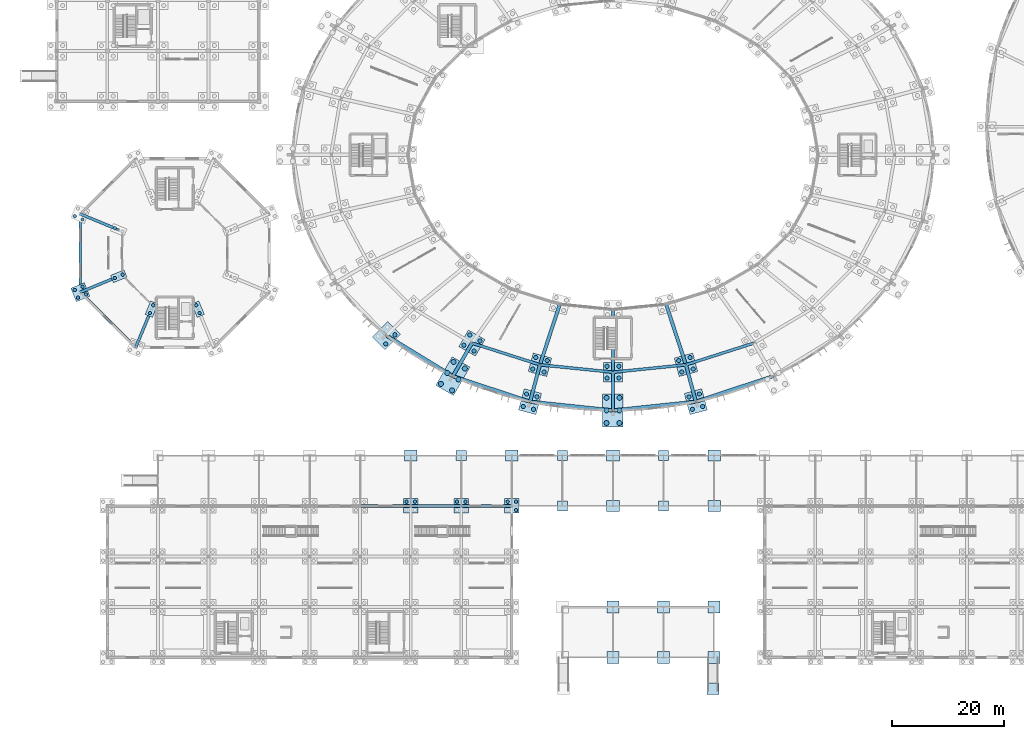
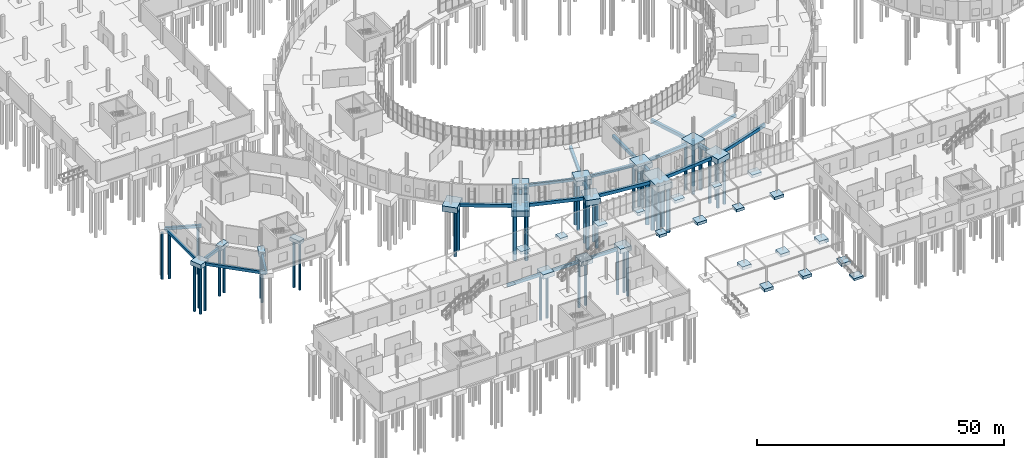
# One storey, part 2 of 118: 58 footings, 58 piles.
"""IFC4 building model written with IfcOpenShell, lengths in metres."""

from ifc_helpers import new_model, si_unit, direction, frame, origin, origin_2d, place, context, subcontext, project, spatial, rectangle, circle, extrude, material, material_profile, profile_set, type_object, element, save


model = new_model("IFC4")

# Units and contexts
model_context = context("Model", 3, precision=1e-05, world=origin(), true_north=direction((0.0, 1.0)))
body_context = subcontext(model_context, "Body", "Model", "MODEL_VIEW")
ifc_project = project(units=[si_unit("LENGTHUNIT", "METRE"), si_unit("AREAUNIT", "SQUARE_METRE"), si_unit("VOLUMEUNIT", "CUBIC_METRE"), si_unit("PLANEANGLEUNIT", "RADIAN"), si_unit("MASSUNIT", "GRAM", prefix="KILO")], contexts=[model_context])

# Site, building, storey
site_placement = place(None, origin())
site = spatial("IfcSite", under=ifc_project, at=site_placement, CompositionType="ELEMENT")
building_placement = place(site_placement, origin())
building = spatial("IfcBuilding", under=site, at=building_placement, Name="Kildeholm Park Wholesale Market", CompositionType="ELEMENT")
storey_placement = place(building_placement, origin())
storey = spatial("IfcBuildingStorey", under=building, at=storey_placement, Name="L00", CompositionType="ELEMENT", Elevation=0.0)

# Piles
ifc_material = material(Name="Concrete C35/45", Category="concrete")
ifc_material_profile_1 = material_profile(ifc_material, circle(Radius=0.300048828125, at=origin_2d()), Name="PILE D600")
ifc_profile_set_1 = profile_set([ifc_material_profile_1], Name="Concrete C35/45")
pile_type_1 = type_object("IfcPileType", Name="Bored pile 600 mm", PredefinedType="BORED", material=ifc_profile_set_1)
pile_placement = place(storey_placement, frame((10.3291015625, 76.419921875, -0.800048828125), z_axis=(0.0, 0.0, -1.0), x_axis=(1.0, 0.0, 0.0)))
element("IfcPile", 1, at=pile_placement, inside=storey, type_object=pile_type_1, Name="Bored pile V3-IN-03.2 PIL-0396", PredefinedType="BORED", context=body_context, shape_type="SweptSolid", body=[
    extrude(circle(Radius=0.300048828125, at=origin_2d()), origin(), (0.0, 0.0, 1.0), 11.699951171875),
])
for number, where, z_axis, x_axis, name in (
    (2, (4.5908203125, 77.985107421875, -1.0), (0.0, 0.0, -1.0), (1.0, 0.0, 0.0), "Bored pile V3-OT-03.3 PIL-0399"),
    (3, (3.205078125, 78.55908203125, -1.0), (0.0, 0.0, -1.0), (1.0, 0.0, 0.0), "Bored pile V3-OT-03.4 PIL-0400"),
):
    element("IfcPile", number, at=place(storey_placement, frame(where, z_axis=z_axis, x_axis=x_axis)), inside=storey, type_object=pile_type_1, Name=name, PredefinedType="BORED", context=body_context, shape_type="SweptSolid", body=[
        extrude(circle(Radius=0.300048828125, at=origin_2d()), origin(), (0.0, 0.0, 1.0), 11.5),
    ])
for number, where, z_axis, x_axis, name in (
    (4, (11.71484375, 68.154052734375, -0.800048828125), (0.0, 0.0, -1.0), (1.0, 0.0, 0.0), "Bored pile V3-IN-04.1 PIL-0401"),
    (5, (10.3291015625, 67.580078125, -0.800048828125), (0.0, 0.0, -1.0), (1.0, 0.0, 0.0), "Bored pile V3-IN-04.2 PIL-0402"),
):
    element("IfcPile", number, at=place(storey_placement, frame(where, z_axis=z_axis, x_axis=x_axis)), inside=storey, type_object=pile_type_1, Name=name, PredefinedType="BORED", context=body_context, shape_type="SweptSolid", body=[
        extrude(circle(Radius=0.300048828125, at=origin_2d()), origin(), (0.0, 0.0, 1.0), 11.699951171875),
    ])
for number, where, z_axis, x_axis, name in (
    (6, (4.5908203125, 66.014892578125, -1.0), (0.0, 0.0, -1.0), (1.0, 0.0, 0.0), "Bored pile V3-OT-04.1 PIL-0403"),
    (7, (3.205078125, 65.44091796875, -1.0), (0.0, 0.0, -1.0), (1.0, 0.0, 0.0), "Bored pile V3-OT-04.2 PIL-0404"),
    (8, (5.164794921875, 64.629150390625, -1.0), (0.0, 0.0, -1.0), (1.0, 0.0, 0.0), "Bored pile V3-OT-04.3 PIL-0405"),
    (9, (3.779052734375, 64.05517578125, -1.0), (0.0, 0.0, -1.0), (1.0, 0.0, 0.0), "Bored pile V3-OT-04.4 PIL-0406"),
):
    element("IfcPile", number, at=place(storey_placement, frame(where, z_axis=z_axis, x_axis=x_axis)), inside=storey, type_object=pile_type_1, Name=name, PredefinedType="BORED", context=body_context, shape_type="SweptSolid", body=[
        extrude(circle(Radius=0.300048828125, at=origin_2d()), origin(), (0.0, 0.0, 1.0), 11.5),
    ])
for number, where, z_axis, x_axis, name in (
    (10, (17.154052734375, 62.71484375, -0.800048828125), (0.0, 0.0, -1.0), (1.0, 0.0, 0.0), "Bored pile V3-IN-05.1 PIL-0407"),
    (11, (16.580078125, 61.3291015625, -0.800048828125), (0.0, 0.0, -1.0), (1.0, 0.0, 0.0), "Bored pile V3-IN-05.2 PIL-0408"),
    (12, (24.845947265625, 62.71484375, -0.800048828125), (0.0, 0.0, -1.0), (1.0, 0.0, 0.0), "Bored pile V3-IN-06.1 PIL-0413"),
    (13, (25.419921875, 61.3291015625, -0.800048828125), (0.0, 0.0, -1.0), (1.0, 0.0, 0.0), "Bored pile V3-IN-06.2 PIL-0414"),
):
    element("IfcPile", number, at=place(storey_placement, frame(where, z_axis=z_axis, x_axis=x_axis)), inside=storey, type_object=pile_type_1, Name=name, PredefinedType="BORED", context=body_context, shape_type="SweptSolid", body=[
        extrude(circle(Radius=0.300048828125, at=origin_2d()), origin(), (0.0, 0.0, 1.0), 11.699951171875),
    ])
for number, where, z_axis, x_axis, name in (
    (14, (62.25, 27.75, -1.0), (0.0, 0.0, -1.0), (1.0, 0.0, 0.0), "Bored pile V5W-063-027.3 PIL-0971"),
    (15, (63.75, 27.75, -1.0), (0.0, 0.0, -1.0), (1.0, 0.0, 0.0), "Bored pile V5W-063-027.4 PIL-0972"),
    (16, (71.25, 27.75, -1.0), (0.0, 0.0, -1.0), (1.0, 0.0, 0.0), "Bored pile V5W-072-027.3 PIL-0987"),
    (17, (72.75, 27.75, -1.0), (0.0, 0.0, -1.0), (1.0, 0.0, 0.0), "Bored pile V5W-072-027.4 PIL-0988"),
    (18, (81.75, 26.25, -1.0), (0.0, 0.0, -1.0), (1.0, 0.0, 0.0), "Bored pile V5W-081-027.2 PIL-1002"),
    (19, (80.25, 27.75, -1.0), (0.0, 0.0, -1.0), (1.0, 0.0, 0.0), "Bored pile V5W-081-027.3 PIL-1003"),
    (20, (81.75, 27.75, -1.0), (0.0, 0.0, -1.0), (1.0, 0.0, 0.0), "Bored pile V5W-081-027.4 PIL-1004"),
):
    element("IfcPile", number, at=place(storey_placement, frame(where, z_axis=z_axis, x_axis=x_axis)), inside=storey, type_object=pile_type_1, Name=name, PredefinedType="BORED", context=body_context, shape_type="SweptSolid", body=[
        extrude(circle(Radius=0.300048828125, at=origin_2d()), origin(), (0.0, 0.0, 1.0), 11.5),
    ])
ifc_material_profile_2 = material_profile(ifc_material, circle(Radius=0.375, at=origin_2d()), Name="PILE D750")
ifc_profile_set_2 = profile_set([ifc_material_profile_2], Name="Concrete C35/45")
pile_type_2 = type_object("IfcPileType", Name="Bored pile 750 mm", PredefinedType="BORED", material=ifc_profile_set_2)
for number, where, z_axis, x_axis, name in (
    (21, (60.179931640625, 57.468505859375, -1.25), (0.0, 0.0, -1.0), (1.0, 0.0, 0.0), "Bored pile V1-OT-15.3 PIL-0207"),
    (22, (58.5537109375, 55.842041015625, -1.25), (0.0, 0.0, -1.0), (1.0, 0.0, 0.0), "Bored pile V1-OT-15.4 PIL-0208"),
):
    element("IfcPile", number, at=place(storey_placement, frame(where, z_axis=z_axis, x_axis=x_axis)), inside=storey, type_object=pile_type_2, Name=name, PredefinedType="BORED", context=body_context, shape_type="SweptSolid", body=[
        extrude(circle(Radius=0.375, at=origin_2d()), origin(), (0.0, 0.0, 1.0), 11.25),
    ])
for number, where, z_axis, x_axis, name in (
    (23, (73.515625, 57.419189453125, -1.199951171875), (0.0, 0.0, -1.0), (1.0, 0.0, 0.0), "Bored pile V1-MD-16.1 PIL-0213"),
    (24, (72.4658203125, 55.6005859375, -1.199951171875), (0.0, 0.0, -1.0), (1.0, 0.0, 0.0), "Bored pile V1-MD-16.2 PIL-0214"),
    (25, (75.334228515625, 56.369384765625, -1.199951171875), (0.0, 0.0, -1.0), (1.0, 0.0, 0.0), "Bored pile V1-MD-16.3 PIL-0215"),
    (26, (74.2841796875, 54.55078125, -1.199951171875), (0.0, 0.0, -1.0), (1.0, 0.0, 0.0), "Bored pile V1-MD-16.4 PIL-0216"),
    (27, (85.264404296875, 53.405029296875, -1.199951171875), (0.0, 0.0, -1.0), (1.0, 0.0, 0.0), "Bored pile V1-MD-17.1 PIL-0227"),
    (28, (84.720947265625, 51.37646484375, -1.199951171875), (0.0, 0.0, -1.0), (1.0, 0.0, 0.0), "Bored pile V1-MD-17.2 PIL-0228"),
    (29, (87.29296875, 52.861572265625, -1.199951171875), (0.0, 0.0, -1.0), (1.0, 0.0, 0.0), "Bored pile V1-MD-17.3 PIL-0229"),
    (30, (86.74951171875, 50.8330078125, -1.199951171875), (0.0, 0.0, -1.0), (1.0, 0.0, 0.0), "Bored pile V1-MD-17.4 PIL-0230"),
):
    element("IfcPile", number, at=place(storey_placement, frame(where, z_axis=z_axis, x_axis=x_axis)), inside=storey, type_object=pile_type_2, Name=name, PredefinedType="BORED", context=body_context, shape_type="SweptSolid", body=[
        extrude(circle(Radius=0.375, at=origin_2d()), origin(), (0.0, 0.0, 1.0), 11.300048828125),
    ])
for number, where, z_axis, x_axis, name in (
    (31, (83.626953125, 46.90673828125, -1.25), (0.0, 0.0, -1.0), (1.0, 0.0, 0.0), "Bored pile V1-OT-17.1 PIL-0231"),
    (32, (83.03173828125, 44.68505859375, -1.25), (0.0, 0.0, -1.0), (1.0, 0.0, 0.0), "Bored pile V1-OT-17.2 PIL-0232"),
    (33, (85.46240234375, 46.414794921875, -1.25), (0.0, 0.0, -1.0), (1.0, 0.0, 0.0), "Bored pile V1-OT-17.3 PIL-0233"),
    (34, (84.866943359375, 44.193359375, -1.25), (0.0, 0.0, -1.0), (1.0, 0.0, 0.0), "Bored pile V1-OT-17.4 PIL-0234"),
):
    element("IfcPile", number, at=place(storey_placement, frame(where, z_axis=z_axis, x_axis=x_axis)), inside=storey, type_object=pile_type_2, Name=name, PredefinedType="BORED", context=body_context, shape_type="SweptSolid", body=[
        extrude(circle(Radius=0.375, at=origin_2d()), origin(), (0.0, 0.0, 1.0), 11.25),
    ])
for number, where, z_axis, x_axis, name in (
    (35, (97.949951171875, 51.85009765625, -1.199951171875), (0.0, 0.0, -1.0), (1.0, 0.0, 0.0), "Bored pile V1-MD-18.1 PIL-0239"),
    (36, (97.949951171875, 49.75, -1.199951171875), (0.0, 0.0, -1.0), (1.0, 0.0, 0.0), "Bored pile V1-MD-18.2 PIL-0240"),
    (37, (100.050048828125, 51.85009765625, -1.199951171875), (0.0, 0.0, -1.0), (1.0, 0.0, 0.0), "Bored pile V1-MD-18.3 PIL-0241"),
    (38, (100.050048828125, 49.75, -1.199951171875), (0.0, 0.0, -1.0), (1.0, 0.0, 0.0), "Bored pile V1-MD-18.4 PIL-0242"),
    (39, (110.70703125, 52.861572265625, -1.199951171875), (0.0, 0.0, -1.0), (1.0, 0.0, 0.0), "Bored pile V1-MD-19.1 PIL-0253"),
    (40, (111.25048828125, 50.8330078125, -1.199951171875), (0.0, 0.0, -1.0), (1.0, 0.0, 0.0), "Bored pile V1-MD-19.2 PIL-0254"),
    (41, (112.735595703125, 53.405029296875, -1.199951171875), (0.0, 0.0, -1.0), (1.0, 0.0, 0.0), "Bored pile V1-MD-19.3 PIL-0255"),
    (42, (113.279052734375, 51.37646484375, -1.199951171875), (0.0, 0.0, -1.0), (1.0, 0.0, 0.0), "Bored pile V1-MD-19.4 PIL-0256"),
):
    element("IfcPile", number, at=place(storey_placement, frame(where, z_axis=z_axis, x_axis=x_axis)), inside=storey, type_object=pile_type_2, Name=name, PredefinedType="BORED", context=body_context, shape_type="SweptSolid", body=[
        extrude(circle(Radius=0.375, at=origin_2d()), origin(), (0.0, 0.0, 1.0), 11.300048828125),
    ])
for number, where, z_axis, x_axis, name in (
    (43, (112.53759765625, 46.414794921875, -1.25), (0.0, 0.0, -1.0), (1.0, 0.0, 0.0), "Bored pile V1-OT-19.1 PIL-0257"),
    (44, (113.133056640625, 44.193359375, -1.25), (0.0, 0.0, -1.0), (1.0, 0.0, 0.0), "Bored pile V1-OT-19.2 PIL-0258"),
    (45, (114.373046875, 46.90673828125, -1.25), (0.0, 0.0, -1.0), (1.0, 0.0, 0.0), "Bored pile V1-OT-19.3 PIL-0259"),
    (46, (114.96826171875, 44.68505859375, -1.25), (0.0, 0.0, -1.0), (1.0, 0.0, 0.0), "Bored pile V1-OT-19.4 PIL-0260"),
):
    element("IfcPile", number, at=place(storey_placement, frame(where, z_axis=z_axis, x_axis=x_axis)), inside=storey, type_object=pile_type_2, Name=name, PredefinedType="BORED", context=body_context, shape_type="SweptSolid", body=[
        extrude(circle(Radius=0.375, at=origin_2d()), origin(), (0.0, 0.0, 1.0), 11.25),
    ])
ifc_material_profile_3 = material_profile(ifc_material, circle(Radius=0.449951171875, at=origin_2d()), Name="PILE D900")
ifc_profile_set_3 = profile_set([ifc_material_profile_3], Name="Concrete C35/45")
pile_type_3 = type_object("IfcPileType", Name="Bored pile 900 mm", PredefinedType="BORED", material=ifc_profile_set_3)
for number, where, z_axis, x_axis, name in (
    (47, (70.629150390625, 52.61962890625, -1.35009765625), (0.0, 0.0, -1.0), (1.0, 0.0, 0.0), "Bored pile V1-OT-16.1 PIL-0217"),
    (48, (69.504150390625, 50.6708984375, -1.35009765625), (0.0, 0.0, -1.0), (1.0, 0.0, 0.0), "Bored pile V1-OT-16.2 PIL-0218"),
    (49, (68.379150390625, 48.722412109375, -1.35009765625), (0.0, 0.0, -1.0), (1.0, 0.0, 0.0), "Bored pile V1-OT-16.3 PIL-0219"),
    (50, (72.620849609375, 51.469482421875, -1.35009765625), (0.0, 0.0, -1.0), (1.0, 0.0, 0.0), "Bored pile V1-OT-16.4 PIL-0220"),
    (51, (71.495849609375, 49.52099609375, -1.35009765625), (0.0, 0.0, -1.0), (1.0, 0.0, 0.0), "Bored pile V1-OT-16.5 PIL-0221"),
    (52, (70.370849609375, 47.572509765625, -1.35009765625), (0.0, 0.0, -1.0), (1.0, 0.0, 0.0), "Bored pile V1-OT-16.6 PIL-0222"),
    (53, (97.85009765625, 46.25, -1.35009765625), (0.0, 0.0, -1.0), (1.0, 0.0, 0.0), "Bored pile V1-OT-18.1 PIL-0243"),
    (54, (97.85009765625, 44.0, -1.35009765625), (0.0, 0.0, -1.0), (1.0, 0.0, 0.0), "Bored pile V1-OT-18.2 PIL-0244"),
    (55, (97.85009765625, 41.75, -1.35009765625), (0.0, 0.0, -1.0), (1.0, 0.0, 0.0), "Bored pile V1-OT-18.3 PIL-0245"),
    (56, (100.14990234375, 46.25, -1.35009765625), (0.0, 0.0, -1.0), (1.0, 0.0, 0.0), "Bored pile V1-OT-18.4 PIL-0246"),
    (57, (100.14990234375, 44.0, -1.35009765625), (0.0, 0.0, -1.0), (1.0, 0.0, 0.0), "Bored pile V1-OT-18.5 PIL-0247"),
    (58, (100.14990234375, 41.75, -1.35009765625), (0.0, 0.0, -1.0), (1.0, 0.0, 0.0), "Bored pile V1-OT-18.6 PIL-0248"),
):
    element("IfcPile", number, at=place(storey_placement, frame(where, z_axis=z_axis, x_axis=x_axis)), inside=storey, type_object=pile_type_3, Name=name, PredefinedType="BORED", context=body_context, shape_type="SweptSolid", body=[
        extrude(circle(Radius=0.449951171875, at=origin_2d()), origin(), (0.0, 0.0, 1.0), 11.14990234375),
    ])

# Footings
ifc_material_profile_4 = material_profile(ifc_material, rectangle(XDim=0.5, YDim=0.699951171875, at=origin_2d()), Name="FB 500x700")
ifc_profile_set_4 = profile_set([ifc_material_profile_4], Name="Concrete C35/45")
footing_type_1 = type_object("IfcFootingType", Name="Ground tie beam GB-1 FB 500x700", PredefinedType="FOOTING_BEAM", material=ifc_profile_set_4)
footing_1_placement = place(storey_placement, frame((73.89990234375, 55.985107421875, -0.64990234375), z_axis=(0.952608649326, -0.304198555599, 0.0), x_axis=(0.304198555599, 0.952608649326, 0.0)))
element("IfcFooting", 59, at=footing_1_placement, inside=storey, type_object=footing_type_1, Name="Ground tie beam GB-V1-CMD-16 FTG-0156", PredefinedType="FOOTING_BEAM", context=body_context, shape_type="SweptSolid", body=[
    extrude(rectangle(XDim=0.5, YDim=0.699951171875, at=origin_2d()), origin(), (0.0, 0.0, 1.0), 12.70947265625),
])
for number, where, z_axis, x_axis, name in (
    (60, (86.007080078125, 52.118896484375, -0.64990234375), (0.994887827563, -0.100986189979, 0.0), (0.100986189979, 0.994887827563, 0.0), "Ground tie beam GB-V1-CMD-17 FTG-0161"),
    (61, (99.0, 50.800048828125, -0.64990234375), (0.994887827563, 0.100986189979, 0.0), (-0.100986189979, 0.994887827563, 0.0), "Ground tie beam GB-V1-CMD-18 FTG-0166"),
):
    element("IfcFooting", number, at=place(storey_placement, frame(where, z_axis=z_axis, x_axis=x_axis)), inside=storey, type_object=footing_type_1, Name=name, PredefinedType="FOOTING_BEAM", context=body_context, shape_type="SweptSolid", body=[
        extrude(rectangle(XDim=0.5, YDim=0.699951171875, at=origin_2d()), origin(), (0.0, 0.0, 1.0), 13.0595703125),
    ])
footing_2_placement = place(storey_placement, frame((111.992919921875, 52.118896484375, -0.64990234375), z_axis=(0.952608649326, 0.304198555599, 0.0), x_axis=(-0.304198555599, 0.952608649326, 0.0)))
element("IfcFooting", 62, at=footing_2_placement, inside=storey, type_object=footing_type_1, Name="Ground tie beam GB-V1-CMD-19 FTG-0171", PredefinedType="FOOTING_BEAM", context=body_context, shape_type="SweptSolid", body=[
    extrude(rectangle(XDim=0.5, YDim=0.699951171875, at=origin_2d()), origin(), (0.0, 0.0, 1.0), 12.70947265625),
])
footing_3_placement = place(storey_placement, frame((11.02197265625, 76.133056640625, -0.64990234375), z_axis=(-0.923875293758, 0.382693665462, 0.0), x_axis=(-0.382693665462, -0.923875293758, 0.0)))
element("IfcFooting", 63, at=footing_3_placement, inside=storey, type_object=footing_type_1, Name="Ground tie beam GB-V3-R-03 FTG-0271", PredefinedType="FOOTING_BEAM", context=body_context, shape_type="SweptSolid", body=[
    extrude(rectangle(XDim=0.5, YDim=0.699951171875, at=origin_2d()), origin(), (0.0, 0.0, 1.0), 7.400146484375),
])
footing_4_placement = place(storey_placement, frame((4.18505859375, 78.965087890625, -0.64990234375), z_axis=(0.0, -1.0, 0.0), x_axis=(1.0, 0.0, 0.0)))
element("IfcFooting", 64, at=footing_4_placement, inside=storey, type_object=footing_type_1, Name="Ground tie beam GB-V3-C-03 FTG-0272", PredefinedType="FOOTING_BEAM", context=body_context, shape_type="SweptSolid", body=[
    extrude(rectangle(XDim=0.5, YDim=0.699951171875, at=origin_2d()), origin(), (0.0, 0.0, 1.0), 13.93017578125),
])
footing_5_placement = place(storey_placement, frame((11.02197265625, 67.866943359375, -0.64990234375), z_axis=(-0.923875293758, -0.382693665462, 0.0), x_axis=(0.382693665462, -0.923875293758, 0.0)))
element("IfcFooting", 65, at=footing_5_placement, inside=storey, type_object=footing_type_1, Name="Ground tie beam GB-V3-R-04 FTG-0275", PredefinedType="FOOTING_BEAM", context=body_context, shape_type="SweptSolid", body=[
    extrude(rectangle(XDim=0.5, YDim=0.699951171875, at=origin_2d()), origin(), (0.0, 0.0, 1.0), 7.400146484375),
])
footing_6_placement = place(storey_placement, frame((4.18505859375, 65.034912109375, -0.64990234375), z_axis=(0.707106781187, -0.707106781187, 0.0), x_axis=(0.707106781187, 0.707106781187, 0.0)))
element("IfcFooting", 66, at=footing_6_placement, inside=storey, type_object=footing_type_1, Name="Ground tie beam GB-V3-C-04 FTG-0276", PredefinedType="FOOTING_BEAM", context=body_context, shape_type="SweptSolid", body=[
    extrude(rectangle(XDim=0.5, YDim=0.699951171875, at=origin_2d()), origin(), (0.0, 0.0, 1.0), 13.9296875),
])
footing_7_placement = place(storey_placement, frame((16.866943359375, 62.02197265625, -0.64990234375), z_axis=(-0.382693665462, -0.923875293758, 0.0), x_axis=(0.923875293758, -0.382693665462, 0.0)))
element("IfcFooting", 67, at=footing_7_placement, inside=storey, type_object=footing_type_1, Name="Ground tie beam GB-V3-R-05 FTG-0279", PredefinedType="FOOTING_BEAM", context=body_context, shape_type="SweptSolid", body=[
    extrude(rectangle(XDim=0.5, YDim=0.699951171875, at=origin_2d()), origin(), (0.0, 0.0, 1.0), 7.400146484375),
])
for number, where, z_axis, x_axis, name in (
    (68, (54.0, 27.0, -0.64990234375), (1.0, 0.0, 0.0), (0.0, 1.0, 0.0), "Ground tie beam GB-V5W-X-054-027 FTG-0663"),
    (69, (63.0, 27.0, -0.64990234375), (1.0, 0.0, 0.0), (0.0, 1.0, 0.0), "Ground tie beam GB-V5W-X-063-027 FTG-0670"),
    (70, (72.0, 27.0, -0.64990234375), (1.0, 0.0, 0.0), (0.0, 1.0, 0.0), "Ground tie beam GB-V5W-X-072-027 FTG-0677"),
):
    element("IfcFooting", number, at=place(storey_placement, frame(where, z_axis=z_axis, x_axis=x_axis)), inside=storey, type_object=footing_type_1, Name=name, PredefinedType="FOOTING_BEAM", context=body_context, shape_type="SweptSolid", body=[
        extrude(rectangle(XDim=0.5, YDim=0.699951171875, at=origin_2d()), origin(), (0.0, 0.0, 1.0), 9.0),
    ])
ifc_material_profile_5 = material_profile(ifc_material, rectangle(XDim=0.60009765625, YDim=0.800048828125, at=origin_2d()), Name="FB 600x800")
ifc_profile_set_5 = profile_set([ifc_material_profile_5], Name="Concrete C35/45")
footing_type_2 = type_object("IfcFootingType", Name="Ground tie beam GB-2 FB 600x800", PredefinedType="FOOTING_BEAM", material=ifc_profile_set_5)
footing_8_placement = place(storey_placement, frame((58.695068359375, 57.326904296875, -0.699951171875), z_axis=(0.852740373682, -0.522335002745, 0.0), x_axis=(0.522335002745, 0.852740373682, 0.0)))
element("IfcFooting", 71, at=footing_8_placement, inside=storey, type_object=footing_type_2, Name="Ground tie beam GB-V1-COT-15 FTG-0152", PredefinedType="FOOTING_BEAM", context=body_context, shape_type="SweptSolid", body=[
    extrude(rectangle(XDim=0.60009765625, YDim=0.800048828125, at=origin_2d()), origin(), (0.0, 0.0, 1.0), 13.843505859375),
])
footing_9_placement = place(storey_placement, frame((73.89990234375, 55.985107421875, -0.699951171875), z_axis=(-0.499977295307, -0.866038511948, 0.0), x_axis=(0.866038511948, -0.499977295307, 0.0)))
element("IfcFooting", 72, at=footing_9_placement, inside=storey, type_object=footing_type_2, Name="Ground tie beam GB-V1-RAD2-16 FTG-0154", PredefinedType="FOOTING_BEAM", context=body_context, shape_type="SweptSolid", body=[
    extrude(rectangle(XDim=0.60009765625, YDim=0.800048828125, at=origin_2d()), origin(), (0.0, 0.0, 1.0), 6.800048828125),
])
footing_10_placement = place(storey_placement, frame((70.5, 50.095947265625, -0.699951171875), z_axis=(0.949435985478, -0.313960681424, 0.0), x_axis=(0.313960681424, 0.949435985478, 0.0)))
element("IfcFooting", 73, at=footing_10_placement, inside=storey, type_object=footing_type_2, Name="Ground tie beam GB-V1-COT-16 FTG-0157", PredefinedType="FOOTING_BEAM", context=body_context, shape_type="SweptSolid", body=[
    extrude(rectangle(XDim=0.60009765625, YDim=0.800048828125, at=origin_2d()), origin(), (0.0, 0.0, 1.0), 14.479248046875),
])
footing_11_placement = place(storey_placement, frame((89.552978515625, 62.93701171875, -0.699951171875), z_axis=(-0.31146940438, -0.950256181319, 0.0), x_axis=(0.950256181319, -0.31146940438, 0.0)))
element("IfcFooting", 74, at=footing_11_placement, inside=storey, type_object=footing_type_2, Name="Ground tie beam GB-V1-RAD1-17 FTG-0158", PredefinedType="FOOTING_BEAM", context=body_context, shape_type="SweptSolid", body=[
    extrude(rectangle(XDim=0.60009765625, YDim=0.800048828125, at=origin_2d()), origin(), (0.0, 0.0, 1.0), 11.384521484375),
])
footing_12_placement = place(storey_placement, frame((86.007080078125, 52.118896484375, -0.699951171875), z_axis=(-0.258804274594, -0.965929783914, 0.0), x_axis=(0.965929783914, -0.258804274594, 0.0)))
element("IfcFooting", 75, at=footing_12_placement, inside=storey, type_object=footing_type_2, Name="Ground tie beam GB-V1-RAD2-17 FTG-0159", PredefinedType="FOOTING_BEAM", context=body_context, shape_type="SweptSolid", body=[
    extrude(rectangle(XDim=0.60009765625, YDim=0.800048828125, at=origin_2d()), origin(), (0.0, 0.0, 1.0), 6.800537109375),
])
footing_13_placement = place(storey_placement, frame((84.2470703125, 45.550048828125, -0.699951171875), z_axis=(0.99452572496, -0.104492020715, 0.0), x_axis=(0.104492020715, 0.99452572496, 0.0)))
element("IfcFooting", 76, at=footing_13_placement, inside=storey, type_object=footing_type_2, Name="Ground tie beam GB-V1-COT-17 FTG-0162", PredefinedType="FOOTING_BEAM", context=body_context, shape_type="SweptSolid", body=[
    extrude(rectangle(XDim=0.60009765625, YDim=0.800048828125, at=origin_2d()), origin(), (0.0, 0.0, 1.0), 14.834228515625),
])
footing_14_placement = place(storey_placement, frame((99.0, 62.0, -0.699951171875), z_axis=(0.0, -1.0, 0.0), x_axis=(1.0, 0.0, 0.0)))
element("IfcFooting", 77, at=footing_14_placement, inside=storey, type_object=footing_type_2, Name="Ground tie beam GB-V1-RAD1-18 FTG-0163", PredefinedType="FOOTING_BEAM", context=body_context, shape_type="SweptSolid", body=[
    extrude(rectangle(XDim=0.60009765625, YDim=0.800048828125, at=origin_2d()), origin(), (0.0, 0.0, 1.0), 11.199951171875),
])
footing_15_placement = place(storey_placement, frame((99.0, 50.800048828125, -0.699951171875), z_axis=(0.0, -1.0, 0.0), x_axis=(1.0, 0.0, 0.0)))
element("IfcFooting", 78, at=footing_15_placement, inside=storey, type_object=footing_type_2, Name="Ground tie beam GB-V1-RAD2-18 FTG-0164", PredefinedType="FOOTING_BEAM", context=body_context, shape_type="SweptSolid", body=[
    extrude(rectangle(XDim=0.60009765625, YDim=0.800048828125, at=origin_2d()), origin(), (0.0, 0.0, 1.0), 6.800048828125),
])
footing_16_placement = place(storey_placement, frame((99.0, 44.0, -0.699951171875), z_axis=(0.99452572496, 0.104492020715, 0.0), x_axis=(-0.104492020715, 0.99452572496, 0.0)))
element("IfcFooting", 79, at=footing_16_placement, inside=storey, type_object=footing_type_2, Name="Ground tie beam GB-V1-COT-18 FTG-0167", PredefinedType="FOOTING_BEAM", context=body_context, shape_type="SweptSolid", body=[
    extrude(rectangle(XDim=0.60009765625, YDim=0.800048828125, at=origin_2d()), origin(), (0.0, 0.0, 1.0), 14.834228515625),
])
footing_17_placement = place(storey_placement, frame((108.447021484375, 62.93701171875, -0.699951171875), z_axis=(0.31146940438, -0.950256181319, 0.0), x_axis=(0.950256181319, 0.31146940438, 0.0)))
element("IfcFooting", 80, at=footing_17_placement, inside=storey, type_object=footing_type_2, Name="Ground tie beam GB-V1-RAD1-19 FTG-0168", PredefinedType="FOOTING_BEAM", context=body_context, shape_type="SweptSolid", body=[
    extrude(rectangle(XDim=0.60009765625, YDim=0.800048828125, at=origin_2d()), origin(), (0.0, 0.0, 1.0), 11.384521484375),
])
footing_18_placement = place(storey_placement, frame((111.992919921875, 52.118896484375, -0.699951171875), z_axis=(0.258804274594, -0.965929783914, 0.0), x_axis=(0.965929783914, 0.258804274594, 0.0)))
element("IfcFooting", 81, at=footing_18_placement, inside=storey, type_object=footing_type_2, Name="Ground tie beam GB-V1-RAD2-19 FTG-0169", PredefinedType="FOOTING_BEAM", context=body_context, shape_type="SweptSolid", body=[
    extrude(rectangle(XDim=0.60009765625, YDim=0.800048828125, at=origin_2d()), origin(), (0.0, 0.0, 1.0), 6.800537109375),
])
footing_19_placement = place(storey_placement, frame((113.7529296875, 45.550048828125, -0.699951171875), z_axis=(0.949435985478, 0.313960681424, 0.0), x_axis=(-0.313960681424, 0.949435985478, 0.0)))
element("IfcFooting", 82, at=footing_19_placement, inside=storey, type_object=footing_type_2, Name="Ground tie beam GB-V1-COT-19 FTG-0172", PredefinedType="FOOTING_BEAM", context=body_context, shape_type="SweptSolid", body=[
    extrude(rectangle(XDim=0.60009765625, YDim=0.800048828125, at=origin_2d()), origin(), (0.0, 0.0, 1.0), 14.479248046875),
])
footing_type_3 = type_object("IfcFootingType", Name="Pad footing PF-1A 1800x1800x650", PredefinedType="PAD_FOOTING", material=ifc_material)
for number, where, z_axis, x_axis, name in (
    (83, (72.0, 36.0, -0.64990234375), (0.0, 0.0, 1.0), (1.0, 0.0, 0.0), "Canopy pad footing 072-036 FTG-0782"),
    (84, (90.0, 27.0, -0.64990234375), (0.0, 0.0, 1.0), (1.0, 0.0, 0.0), "Canopy pad footing 090-027 FTG-0784"),
    (85, (90.0, 36.0, -0.64990234375), (0.0, 0.0, 1.0), (1.0, 0.0, 0.0), "Canopy pad footing 090-036 FTG-0785"),
    (86, (108.0, 27.0, -0.64990234375), (0.0, 0.0, 1.0), (1.0, 0.0, 0.0), "Canopy pad footing 108-027 FTG-0788"),
    (87, (108.0, 36.0, -0.64990234375), (0.0, 0.0, 1.0), (1.0, 0.0, 0.0), "Canopy pad footing 108-036 FTG-0789"),
):
    element("IfcFooting", number, at=place(storey_placement, frame(where, z_axis=z_axis, x_axis=x_axis)), inside=storey, type_object=footing_type_3, Name=name, PredefinedType="PAD_FOOTING", context=body_context, shape_type="SweptSolid", body=[
        extrude(rectangle(XDim=1.800048828125, YDim=1.800048828125, at=origin_2d()), origin(), (0.0, 0.0, 1.0), 0.64990234375),
    ])
footing_type_4 = type_object("IfcFootingType", Name="Pad footing PF-1B 2100x2100x750", PredefinedType="PAD_FOOTING", material=ifc_material)
for number, where, z_axis, x_axis, name in (
    (88, (99.0, 0.0, -0.75), (0.0, 0.0, 1.0), (1.0, 0.0, 0.0), "Entrance canopy footing 099-000 FTG-0802"),
    (89, (99.0, 9.0, -0.75), (0.0, 0.0, 1.0), (1.0, 0.0, 0.0), "Entrance canopy footing 099-009 FTG-0803"),
    (90, (108.0, 0.0, -0.75), (0.0, 0.0, 1.0), (1.0, 0.0, 0.0), "Entrance canopy footing 108-000 FTG-0804"),
    (91, (108.0, 9.0, -0.75), (0.0, 0.0, 1.0), (1.0, 0.0, 0.0), "Entrance canopy footing 108-009 FTG-0805"),
    (92, (117.0, 0.0, -0.75), (0.0, 0.0, 1.0), (1.0, 0.0, 0.0), "Entrance canopy footing 117-000 FTG-0806"),
    (93, (117.0, 9.0, -0.75), (0.0, 0.0, 1.0), (1.0, 0.0, 0.0), "Entrance canopy footing 117-009 FTG-0807"),
):
    element("IfcFooting", number, at=place(storey_placement, frame(where, z_axis=z_axis, x_axis=x_axis)), inside=storey, type_object=footing_type_4, Name=name, PredefinedType="PAD_FOOTING", context=body_context, shape_type="SweptSolid", body=[
        extrude(rectangle(XDim=2.10009765625, YDim=2.10009765625, at=origin_2d()), origin(), (0.0, 0.0, 1.0), 0.75),
    ])
footing_type_5 = type_object("IfcFootingType", Name="Pad footing PF-1C 2250x1950x700", PredefinedType="PAD_FOOTING", material=ifc_material)
for number, where, z_axis, x_axis, name in (
    (94, (63.0, 36.0, -0.7001953125), (0.0, 0.0, 1.0), (1.0, 0.0, 0.0), "Canopy pad footing 063-036 FTG-0781"),
    (95, (81.0, 36.0, -0.7001953125), (0.0, 0.0, 1.0), (1.0, 0.0, 0.0), "Canopy pad footing 081-036 FTG-0783"),
    (96, (99.0, 27.0, -0.7001953125), (0.0, 0.0, 1.0), (1.0, 0.0, 0.0), "Canopy pad footing 099-027 FTG-0786"),
    (97, (99.0, 36.0, -0.7001953125), (0.0, 0.0, 1.0), (1.0, 0.0, 0.0), "Canopy pad footing 099-036 FTG-0787"),
    (98, (117.0, 27.0, -0.7001953125), (0.0, 0.0, 1.0), (1.0, 0.0, 0.0), "Canopy pad footing 117-027 FTG-0790"),
    (99, (117.0, 36.0, -0.7001953125), (0.0, 0.0, 1.0), (1.0, 0.0, 0.0), "Canopy pad footing 117-036 FTG-0791"),
):
    element("IfcFooting", number, at=place(storey_placement, frame(where, z_axis=z_axis, x_axis=x_axis)), inside=storey, type_object=footing_type_5, Name=name, PredefinedType="PAD_FOOTING", context=body_context, shape_type="SweptSolid", body=[
        extrude(rectangle(XDim=2.25, YDim=1.949951171875, at=origin_2d()), origin(), (0.0, 0.0, 1.0), 0.699951171875),
    ])
footing_type_6 = type_object("IfcFootingType", Name="Pad footing PF-RM 2050x2150x550", PredefinedType="PAD_FOOTING", material=ifc_material)
footing_20_placement = place(storey_placement, frame((116.800048828125, -5.52001953125, -0.85009765625), z_axis=(0.0, 0.0, 1.0), x_axis=(0.0, 1.0, 0.0)))
element("IfcFooting", 100, at=footing_20_placement, inside=storey, type_object=footing_type_6, Name="Ramp toe pad footing RM-PK-E FTG-0809", PredefinedType="PAD_FOOTING", context=body_context, shape_type="SweptSolid", body=[
    extrude(rectangle(XDim=2.050048828125, YDim=2.14990234375, at=origin_2d()), origin(), (0.0, 0.0, 1.0), 0.550048828125),
])
footing_type_7 = type_object("IfcFootingType", Name="Pile cap PC-2A 2600x1400x900", PredefinedType="PILE_CAP", material=ifc_material)
for number, where, z_axis, x_axis, name in (
    (101, (11.02197265625, 67.866943359375, -0.89990234375), (0.0, 0.0, 1.0), (-0.923879532511, -0.382683432365, 0.0), "Pile cap V3-IN-04 FTG-0273"),
    (102, (16.866943359375, 62.02197265625, -0.89990234375), (0.0, 0.0, 1.0), (-0.382683432365, -0.923879532511, 0.0), "Pile cap V3-IN-05 FTG-0277"),
    (103, (25.133056640625, 62.02197265625, -0.89990234375), (0.0, 0.0, 1.0), (0.382683432365, -0.923879532511, 0.0), "Pile cap V3-IN-06 FTG-0281"),
):
    element("IfcFooting", number, at=place(storey_placement, frame(where, z_axis=z_axis, x_axis=x_axis)), inside=storey, type_object=footing_type_7, Name=name, PredefinedType="PILE_CAP", context=body_context, shape_type="SweptSolid", body=[
        extrude(rectangle(XDim=2.60009765625, YDim=1.39990234375, at=origin_2d()), origin(), (0.0, 0.0, 1.0), 0.89990234375),
    ])
footing_type_8 = type_object("IfcFootingType", Name="Pile cap PC-4A 2600x2600x1100", PredefinedType="PILE_CAP", material=ifc_material)
for number, where, z_axis, x_axis, name in (
    (104, (4.18505859375, 65.034912109375, -1.10009765625), (0.0, 0.0, 1.0), (-0.923879532511, -0.382683432365, 0.0), "Pile cap V3-OT-04 FTG-0274"),
    (105, (63.0, 27.0, -1.10009765625), (0.0, 0.0, 1.0), (1.0, 0.0, 0.0), "Pile cap V5W-063-027 FTG-0613"),
    (106, (72.0, 27.0, -1.10009765625), (0.0, 0.0, 1.0), (1.0, 0.0, 0.0), "Pile cap V5W-072-027 FTG-0617"),
    (107, (81.0, 27.0, -1.10009765625), (0.0, 0.0, 1.0), (1.0, 0.0, 0.0), "Pile cap V5W-081-027 FTG-0621"),
):
    element("IfcFooting", number, at=place(storey_placement, frame(where, z_axis=z_axis, x_axis=x_axis)), inside=storey, type_object=footing_type_8, Name=name, PredefinedType="PILE_CAP", context=body_context, shape_type="SweptSolid", body=[
        extrude(rectangle(XDim=2.60009765625, YDim=2.60009765625, at=origin_2d()), origin(), (0.0, 0.0, 1.0), 1.10009765625),
    ])
footing_type_9 = type_object("IfcFootingType", Name="Pile cap PC-4C 3400x3400x1300", PredefinedType="PILE_CAP", material=ifc_material)
for number, where, z_axis, x_axis, name in (
    (108, (73.89990234375, 55.985107421875, -1.2998046875), (0.0, 0.0, 1.0), (-0.5, -0.866025403784, 0.0), "Pile cap V1-MD-16 FTG-0050"),
    (109, (86.007080078125, 52.118896484375, -1.2998046875), (0.0, 0.0, 1.0), (-0.258819045103, -0.965925826289, 0.0), "Pile cap V1-MD-17 FTG-0053"),
    (110, (99.0, 50.800048828125, -1.2998046875), (0.0, 0.0, 1.0), (0.0, -1.0, 0.0), "Pile cap V1-MD-18 FTG-0056"),
    (111, (111.992919921875, 52.118896484375, -1.2998046875), (0.0, 0.0, 1.0), (0.258819045103, -0.965925826289, 0.0), "Pile cap V1-MD-19 FTG-0059"),
):
    element("IfcFooting", number, at=place(storey_placement, frame(where, z_axis=z_axis, x_axis=x_axis)), inside=storey, type_object=footing_type_9, Name=name, PredefinedType="PILE_CAP", context=body_context, shape_type="SweptSolid", body=[
        extrude(rectangle(XDim=3.39990234375, YDim=3.39990234375, at=origin_2d()), origin(), (0.0, 0.0, 1.0), 1.300048828125),
    ])
footing_type_10 = type_object("IfcFootingType", Name="Pile cap PC-4E 3900x3200x1350", PredefinedType="PILE_CAP", material=ifc_material)
for number, where, z_axis, x_axis, name in (
    (112, (58.695068359375, 57.326904296875, -1.35009765625), (0.0, 0.0, 1.0), (-0.707106781187, -0.707106781187, 0.0), "Pile cap V1-OT-15 FTG-0048"),
    (113, (84.2470703125, 45.550048828125, -1.35009765625), (0.0, 0.0, 1.0), (-0.258819045103, -0.965925826289, 0.0), "Pile cap V1-OT-17 FTG-0054"),
    (114, (113.7529296875, 45.550048828125, -1.35009765625), (0.0, 0.0, 1.0), (0.258819045103, -0.965925826289, 0.0), "Pile cap V1-OT-19 FTG-0060"),
):
    element("IfcFooting", number, at=place(storey_placement, frame(where, z_axis=z_axis, x_axis=x_axis)), inside=storey, type_object=footing_type_10, Name=name, PredefinedType="PILE_CAP", context=body_context, shape_type="SweptSolid", body=[
        extrude(rectangle(XDim=3.89990234375, YDim=3.199951171875, at=origin_2d()), origin(), (0.0, 0.0, 1.0), 1.35009765625),
    ])
footing_type_11 = type_object("IfcFootingType", Name="Pile cap PC-6A 5850x3650x1450", PredefinedType="PILE_CAP", material=ifc_material)
for number, where, z_axis, x_axis, name in (
    (115, (70.5, 50.095947265625, -1.4501953125), (0.0, 0.0, 1.0), (-0.5, -0.866025403784, 0.0), "Pile cap V1-OT-16 FTG-0051"),
    (116, (99.0, 44.0, -1.4501953125), (0.0, 0.0, 1.0), (0.0, -1.0, 0.0), "Pile cap V1-OT-18 FTG-0057"),
):
    element("IfcFooting", number, at=place(storey_placement, frame(where, z_axis=z_axis, x_axis=x_axis)), inside=storey, type_object=footing_type_11, Name=name, PredefinedType="PILE_CAP", context=body_context, shape_type="SweptSolid", body=[
        extrude(rectangle(XDim=5.85009765625, YDim=3.64990234375, at=origin_2d()), origin(), (0.0, 0.0, 1.0), 1.449951171875),
    ])

save(model, "model.ifc")
